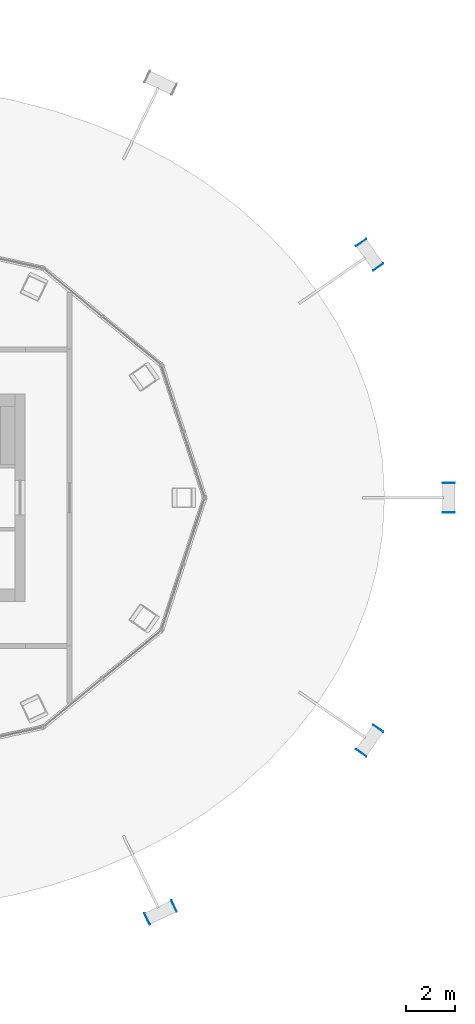
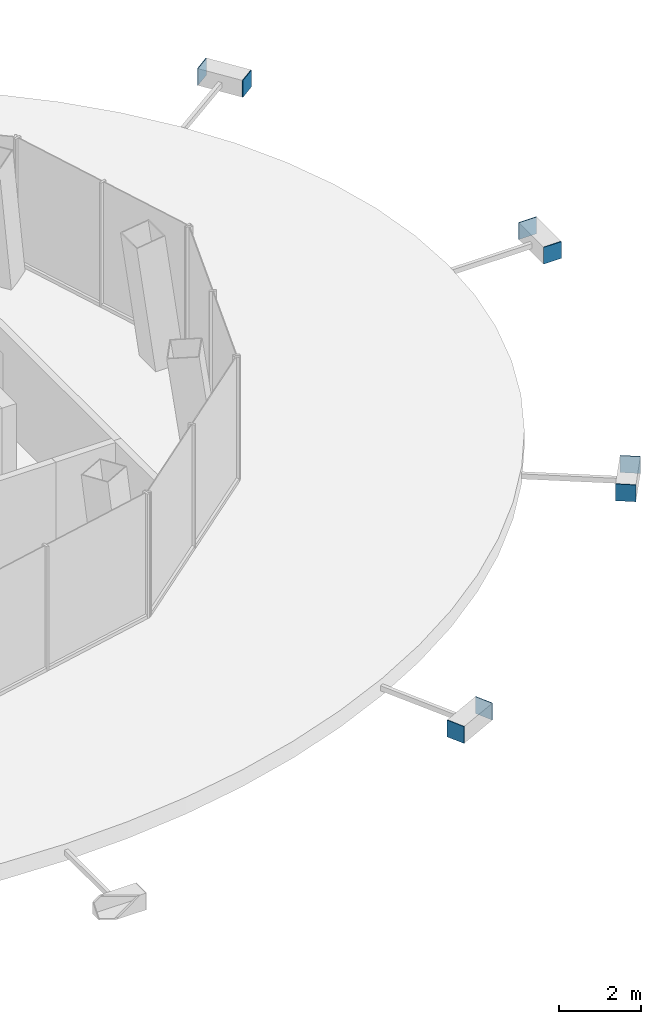
# One storey, part 8 of 10: 8 discrete accessories.
"""IFC4 building model written with IfcOpenShell, lengths in metres."""

from ifc_helpers import new_model, si_unit, direction, frame, origin, origin_2d, place, context, subcontext, project, spatial, rectangle, extrude, material, layer, layer_set, type_object, element, save


model = new_model("IFC4")

# Units and contexts
model_context = context("Model", 3, precision=1e-05, world=origin(), true_north=direction((0.0, 1.0)))
body_context = subcontext(model_context, "Body", "Model", "MODEL_VIEW")
ifc_project = project(units=[si_unit("LENGTHUNIT", "METRE"), si_unit("AREAUNIT", "SQUARE_METRE"), si_unit("VOLUMEUNIT", "CUBIC_METRE"), si_unit("PLANEANGLEUNIT", "RADIAN"), si_unit("MASSUNIT", "GRAM", prefix="KILO")], contexts=[model_context])

# Site, building, storey
site_placement = place(None, origin())
site = spatial("IfcSite", under=ifc_project, at=site_placement, CompositionType="ELEMENT")
building_placement = place(site_placement, origin())
building = spatial("IfcBuilding", under=site, at=building_placement, Name="Siaravel Broadcast Tower", CompositionType="ELEMENT")
storey_placement = place(building_placement, frame((0.0, 0.0, 272.60009765625)))
storey = spatial("IfcBuildingStorey", under=building, at=storey_placement, Name="L66", CompositionType="ELEMENT", Elevation=272.60009765625)

# Discrete accessories
ifc_material = material(Name="Steel S355", Category="steel")
ifc_layer = layer(ifc_material, 0.02001953125)
ifc_layer_set = layer_set([ifc_layer], Name="Steel S355")
discrete_accessory_type = type_object("IfcDiscreteAccessoryType", Name="Steel end plate 20 mm", PredefinedType="USERDEFINED", material=ifc_layer_set)
for number, where, z_axis, x_axis, name in (
    (1, (22.96337890625, 0.603515625, -0.4501953125), (0.0, 0.0, 1.0), (0.0, 1.0, 0.0), "End plate R27 station 00A"),
    (2, (22.96337890625, -0.603515625, -0.4501953125), (0.0, 0.0, 1.0), (0.0, 1.0, 0.0), "End plate R27 station 00B"),
    (3, (19.412841796875, 10.3310546875, -0.4501953125), (0.0, 0.0, 1.0), (-0.576118513, 0.817366172, 0.0), "End plate R27 station 06A"),
    (4, (20.108154296875, 9.3447265625, -0.4501953125), (0.0, 0.0, 1.0), (-0.576118513, 0.817366172, 0.0), "End plate R27 station 06B"),
    (5, (11.8388671875, -16.53759765625, -0.4501953125), (0.0, 0.0, 1.0), (0.904006456, 0.427518805, 0.0), "End plate R27 station 60A"),
    (6, (10.747802734375, -17.0537109375, -0.4501953125), (0.0, 0.0, 1.0), (0.904006456, 0.427518805, 0.0), "End plate R27 station 60B"),
    (7, (20.108154296875, -9.3447265625, -0.4501953125), (0.0, 0.0, 1.0), (0.576118513, 0.817366172, 0.0), "End plate R27 station 66A"),
    (8, (19.412841796875, -10.3310546875, -0.4501953125), (0.0, 0.0, 1.0), (0.576118513, 0.817366172, 0.0), "End plate R27 station 66B"),
):
    element("IfcDiscreteAccessory", number, at=place(storey_placement, frame(where, z_axis=z_axis, x_axis=x_axis)), inside=storey, type_object=discrete_accessory_type, Name=name, ObjectType="END PLATE", PredefinedType="USERDEFINED", context=body_context, shape_type="SweptSolid", body=[
        extrude(rectangle(XDim=0.02001953125, YDim=0.5, at=origin_2d()), origin(), (0.0, 0.0, 1.0), 0.5),
    ])

save(model, "model.ifc")
